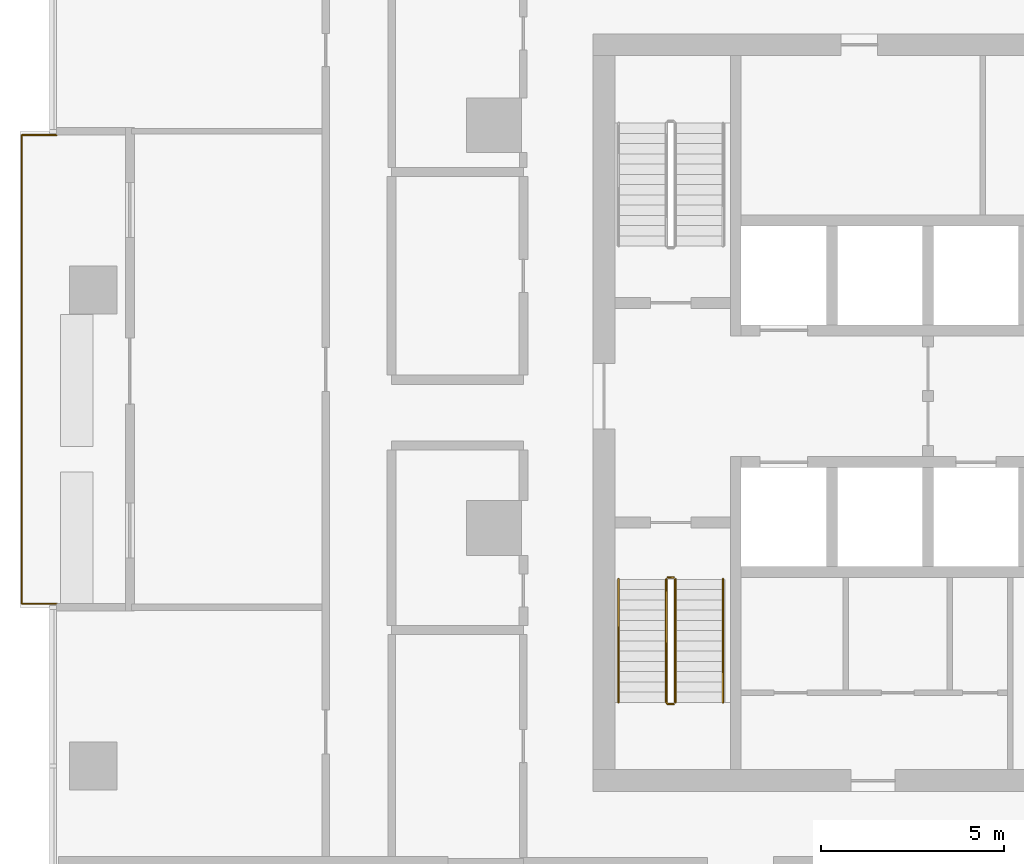
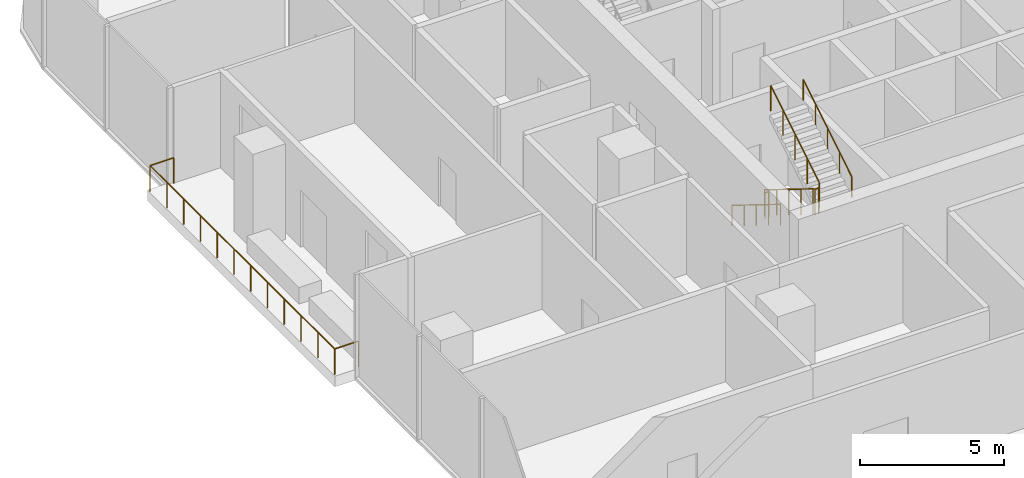
# One storey, part 12 of 15: 6 railings.
"""IFC4 building model written with IfcOpenShell, lengths in metres."""

from ifc_helpers import new_model, si_unit, direction, frame, origin, origin_2d, place, context, subcontext, project, spatial, circle, extrude, material, type_object, element, save


model = new_model("IFC4")

# Units and contexts
model_context = context("Model", 3, precision=1e-05, world=origin(), true_north=direction((0.0, 1.0)))
body_context = subcontext(model_context, "Body", "Model", "MODEL_VIEW")
ifc_project = project(units=[si_unit("LENGTHUNIT", "METRE"), si_unit("AREAUNIT", "SQUARE_METRE"), si_unit("VOLUMEUNIT", "CUBIC_METRE"), si_unit("PLANEANGLEUNIT", "RADIAN"), si_unit("MASSUNIT", "GRAM", prefix="KILO")], contexts=[model_context])

# Site, building, storey
site_placement = place(None, origin())
site = spatial("IfcSite", under=ifc_project, at=site_placement, CompositionType="ELEMENT")
building_placement = place(site_placement, origin())
building = spatial("IfcBuilding", under=site, at=building_placement, Name="Mopane Tessera Tower", CompositionType="ELEMENT")
storey_placement = place(building_placement, frame((0.0, 0.0, 117.10009765625)))
storey = spatial("IfcBuildingStorey", under=building, at=storey_placement, Name="L23", CompositionType="ELEMENT", Elevation=117.10009765625)

# Railings
ifc_material_1 = material(Name="Powder-coated steel balustrade", Category="steel")
railing_type_1 = type_object("IfcRailingType", Name="Escape stair guard 1100 mm", PredefinedType="GUARDRAIL", material=ifc_material_1)
railing_1_placement = place(storey_placement, frame((-12.39990234375, -1.39990234375, 0.173095703125)))
element("IfcRailing", 1, at=railing_1_placement, inside=storey, type_object=railing_type_1, Name="L23 ST1 stair guard 1", PredefinedType="GUARDRAIL", context=body_context, shape_type="SweptSolid", body=[
    extrude(circle(Radius=0.02392578125, at=origin_2d()), frame((0.0, 0.0, 1.076171875), z_axis=(0.0, -0.850623216509, 0.525775754039), x_axis=(1.0, 0.0, 0.0)), (0.0, 0.0, 1.0), 3.9501953125),
    extrude(circle(Radius=0.02392578125, at=origin_2d()), frame((0.0, -3.360107421875, 3.15283203125), z_axis=(0.705375805398, -0.708833529934, 0.0), x_axis=(0.708833529934, 0.705375805398, 0.0)), (0.0, 0.0, 1.0), 0.070556640625),
    extrude(circle(Radius=0.02392578125, at=origin_2d()), frame((0.0498046875, -3.41015625, 3.15283203125), z_axis=(1.0, 0.0, 0.0), x_axis=(0.0, 1.0, 0.0)), (0.0, 0.0, 1.0), 0.150146484375),
    extrude(circle(Radius=0.02099609375, at=origin_2d()), origin(), (0.0, 0.0, 1.0), 1.052001953125),
    extrude(circle(Radius=0.02099609375, at=origin_2d()), frame((0.0, -0.840087890625, 0.519287109375)), (0.0, 0.0, 1.0), 1.052001953125),
    extrude(circle(Radius=0.02099609375, at=origin_2d()), frame((0.0, -1.68017578125, 1.03857421875)), (0.0, 0.0, 1.0), 1.052001953125),
    extrude(circle(Radius=0.02099609375, at=origin_2d()), frame((0.0, -2.52001953125, 1.5576171875)), (0.0, 0.0, 1.0), 1.052001953125),
    extrude(circle(Radius=0.02099609375, at=origin_2d()), frame((0.0, -3.360107421875, 2.076904296875)), (0.0, 0.0, 1.0), 1.052001953125),
    extrude(circle(Radius=0.02099609375, at=origin_2d()), frame((0.0498046875, -3.41015625, 2.076904296875)), (0.0, 0.0, 1.0), 1.052001953125),
    extrude(circle(Radius=0.02099609375, at=origin_2d()), frame((0.199951171875, -3.41015625, 2.076904296875)), (0.0, 0.0, 1.0), 1.052001953125),
])
railing_2_placement = place(storey_placement, frame((-12.14990234375, -4.760009765625, 2.423095703125)))
element("IfcRailing", 2, at=railing_2_placement, inside=storey, type_object=railing_type_1, Name="L23 ST1 stair guard 2", PredefinedType="GUARDRAIL", context=body_context, shape_type="SweptSolid", body=[
    extrude(circle(Radius=0.02392578125, at=origin_2d()), frame((0.0, 0.0, 1.076171875), z_axis=(0.0, 0.850623216509, 0.525775754039), x_axis=(-1.0, 0.0, 0.0)), (0.0, 0.0, 1.0), 3.9501953125),
    extrude(circle(Radius=0.02099609375, at=origin_2d()), origin(), (0.0, 0.0, 1.0), 1.052001953125),
    extrude(circle(Radius=0.02099609375, at=origin_2d()), frame((0.0, 0.840087890625, 0.519287109375)), (0.0, 0.0, 1.0), 1.052001953125),
    extrude(circle(Radius=0.02099609375, at=origin_2d()), frame((0.0, 1.68017578125, 1.03857421875)), (0.0, 0.0, 1.0), 1.052001953125),
    extrude(circle(Radius=0.02099609375, at=origin_2d()), frame((0.0, 2.52001953125, 1.5576171875)), (0.0, 0.0, 1.0), 1.052001953125),
    extrude(circle(Radius=0.02099609375, at=origin_2d()), frame((0.0, 3.360107421875, 2.076904296875)), (0.0, 0.0, 1.0), 1.052001953125),
])
railing_3_placement = place(storey_placement, frame((-12.35009765625, -1.35009765625, 0.0)))
element("IfcRailing", 3, at=railing_3_placement, inside=storey, type_object=railing_type_1, Name="L23 ST1 stair guard 3", PredefinedType="GUARDRAIL", context=body_context, shape_type="SweptSolid", body=[
    extrude(circle(Radius=0.02392578125, at=origin_2d()), frame((0.0, 0.0, 1.076171875), z_axis=(1.0, 0.0, 0.0), x_axis=(0.0, 1.0, 0.0)), (0.0, 0.0, 1.0), 0.150146484375),
    extrude(circle(Radius=0.02099609375, at=origin_2d()), origin(), (0.0, 0.0, 1.0), 1.052001953125),
    extrude(circle(Radius=0.02099609375, at=origin_2d()), frame((0.150146484375, 0.0, 0.0)), (0.0, 0.0, 1.0), 1.052001953125),
])
ifc_material_2 = material(Name="Powder-coated steel balustrade", Category="steel")
railing_type_2 = type_object("IfcRailingType", Name="Escape stair handrail 900 mm", PredefinedType="HANDRAIL", material=ifc_material_2)
railing_4_placement = place(storey_placement, frame((-13.699951171875, -1.39990234375, 0.173095703125)))
element("IfcRailing", 4, at=railing_4_placement, inside=storey, type_object=railing_type_2, Name="L23 ST1 stair handrail 1", PredefinedType="HANDRAIL", context=body_context, shape_type="SweptSolid", body=[
    extrude(circle(Radius=0.02392578125, at=origin_2d()), frame((0.0, 0.0, 0.8759765625), z_axis=(0.0, -0.850623216509, 0.525775754039), x_axis=(1.0, 0.0, 0.0)), (0.0, 0.0, 1.0), 3.9501953125),
    extrude(circle(Radius=0.02099609375, at=origin_2d()), origin(), (0.0, 0.0, 1.0), 0.851806640625),
    extrude(circle(Radius=0.02099609375, at=origin_2d()), frame((0.0, -0.840087890625, 0.519287109375)), (0.0, 0.0, 1.0), 0.851806640625),
    extrude(circle(Radius=0.02099609375, at=origin_2d()), frame((0.0, -1.68017578125, 1.03857421875)), (0.0, 0.0, 1.0), 0.851806640625),
    extrude(circle(Radius=0.02099609375, at=origin_2d()), frame((0.0, -2.52001953125, 1.5576171875)), (0.0, 0.0, 1.0), 0.851806640625),
    extrude(circle(Radius=0.02099609375, at=origin_2d()), frame((0.0, -3.360107421875, 2.076904296875)), (0.0, 0.0, 1.0), 0.851806640625),
])
railing_5_placement = place(storey_placement, frame((-10.85009765625, -4.760009765625, 2.423095703125)))
element("IfcRailing", 5, at=railing_5_placement, inside=storey, type_object=railing_type_2, Name="L23 ST1 stair handrail 2", PredefinedType="HANDRAIL", context=body_context, shape_type="SweptSolid", body=[
    extrude(circle(Radius=0.02392578125, at=origin_2d()), frame((0.0, 0.0, 0.8759765625), z_axis=(0.0, 0.850623216509, 0.525775754039), x_axis=(-1.0, 0.0, 0.0)), (0.0, 0.0, 1.0), 3.9501953125),
    extrude(circle(Radius=0.02099609375, at=origin_2d()), origin(), (0.0, 0.0, 1.0), 0.851806640625),
    extrude(circle(Radius=0.02099609375, at=origin_2d()), frame((0.0, 0.840087890625, 0.519287109375)), (0.0, 0.0, 1.0), 0.851806640625),
    extrude(circle(Radius=0.02099609375, at=origin_2d()), frame((0.0, 1.68017578125, 1.03857421875)), (0.0, 0.0, 1.0), 0.851806640625),
    extrude(circle(Radius=0.02099609375, at=origin_2d()), frame((0.0, 2.52001953125, 1.5576171875)), (0.0, 0.0, 1.0), 0.851806640625),
    extrude(circle(Radius=0.02099609375, at=origin_2d()), frame((0.0, 3.360107421875, 2.076904296875)), (0.0, 0.0, 1.0), 0.851806640625),
])
ifc_material_3 = material(Name="Stainless steel S316", Category="steel")
railing_type_3 = type_object("IfcRailingType", Name="Terrace guard 1100", PredefinedType="GUARDRAIL", material=ifc_material_3)
railing_6_placement = place(storey_placement, frame((-29.050048828125, 10.7333984375, 0.0)))
element("IfcRailing", 6, at=railing_6_placement, inside=storey, type_object=railing_type_3, Name="e:nw:L23:N2:guard", PredefinedType="GUARDRAIL", context=body_context, shape_type="SweptSolid", body=[
    extrude(circle(Radius=0.02392578125, at=origin_2d()), frame((0.0, 0.0, 1.076171875), z_axis=(-1.0, 0.0, 0.0), x_axis=(0.0, -1.0, 0.0)), (0.0, 0.0, 1.0), 0.949951171875),
    extrude(circle(Radius=0.02392578125, at=origin_2d()), frame((-0.949951171875, 0.0, 1.076171875), z_axis=(0.0, -1.0, 0.0), x_axis=(1.0, 0.0, 0.0)), (0.0, 0.0, 1.0), 12.800048828125),
    extrude(circle(Radius=0.02392578125, at=origin_2d()), frame((-0.949951171875, -12.800048828125, 1.076171875), z_axis=(1.0, 0.0, 0.0), x_axis=(0.0, 1.0, 0.0)), (0.0, 0.0, 1.0), 0.949951171875),
    extrude(circle(Radius=0.02099609375, at=origin_2d()), origin(), (0.0, 0.0, 1.0), 1.052001953125),
    extrude(circle(Radius=0.02099609375, at=origin_2d()), frame((-0.949951171875, 0.0, 0.0)), (0.0, 0.0, 1.0), 1.052001953125),
    extrude(circle(Radius=0.02099609375, at=origin_2d()), frame((-0.949951171875, -1.16357421875, 0.0)), (0.0, 0.0, 1.0), 1.052001953125),
    extrude(circle(Radius=0.02099609375, at=origin_2d()), frame((-0.949951171875, -2.327392578125, 0.0)), (0.0, 0.0, 1.0), 1.052001953125),
    extrude(circle(Radius=0.02099609375, at=origin_2d()), frame((-0.949951171875, -3.490966796875, 0.0)), (0.0, 0.0, 1.0), 1.052001953125),
    extrude(circle(Radius=0.02099609375, at=origin_2d()), frame((-0.949951171875, -4.654541015625, 0.0)), (0.0, 0.0, 1.0), 1.052001953125),
    extrude(circle(Radius=0.02099609375, at=origin_2d()), frame((-0.949951171875, -5.818115234375, 0.0)), (0.0, 0.0, 1.0), 1.052001953125),
    extrude(circle(Radius=0.02099609375, at=origin_2d()), frame((-0.949951171875, -6.98193359375, 0.0)), (0.0, 0.0, 1.0), 1.052001953125),
    extrude(circle(Radius=0.02099609375, at=origin_2d()), frame((-0.949951171875, -8.1455078125, 0.0)), (0.0, 0.0, 1.0), 1.052001953125),
    extrude(circle(Radius=0.02099609375, at=origin_2d()), frame((-0.949951171875, -9.30908203125, 0.0)), (0.0, 0.0, 1.0), 1.052001953125),
    extrude(circle(Radius=0.02099609375, at=origin_2d()), frame((-0.949951171875, -10.47265625, 0.0)), (0.0, 0.0, 1.0), 1.052001953125),
    extrude(circle(Radius=0.02099609375, at=origin_2d()), frame((-0.949951171875, -11.636474609375, 0.0)), (0.0, 0.0, 1.0), 1.052001953125),
    extrude(circle(Radius=0.02099609375, at=origin_2d()), frame((-0.949951171875, -12.800048828125, 0.0)), (0.0, 0.0, 1.0), 1.052001953125),
    extrude(circle(Radius=0.02099609375, at=origin_2d()), frame((0.0, -12.800048828125, 0.0)), (0.0, 0.0, 1.0), 1.052001953125),
])

save(model, "model.ifc")
